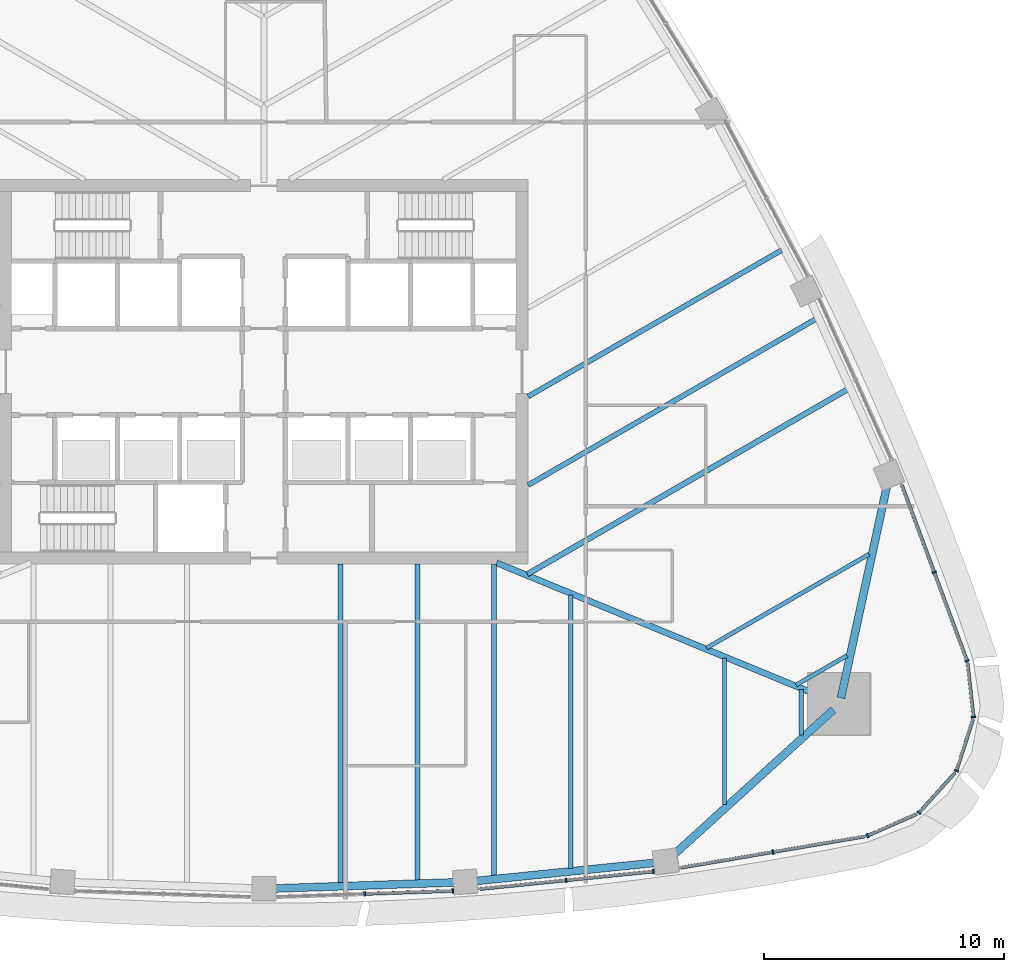
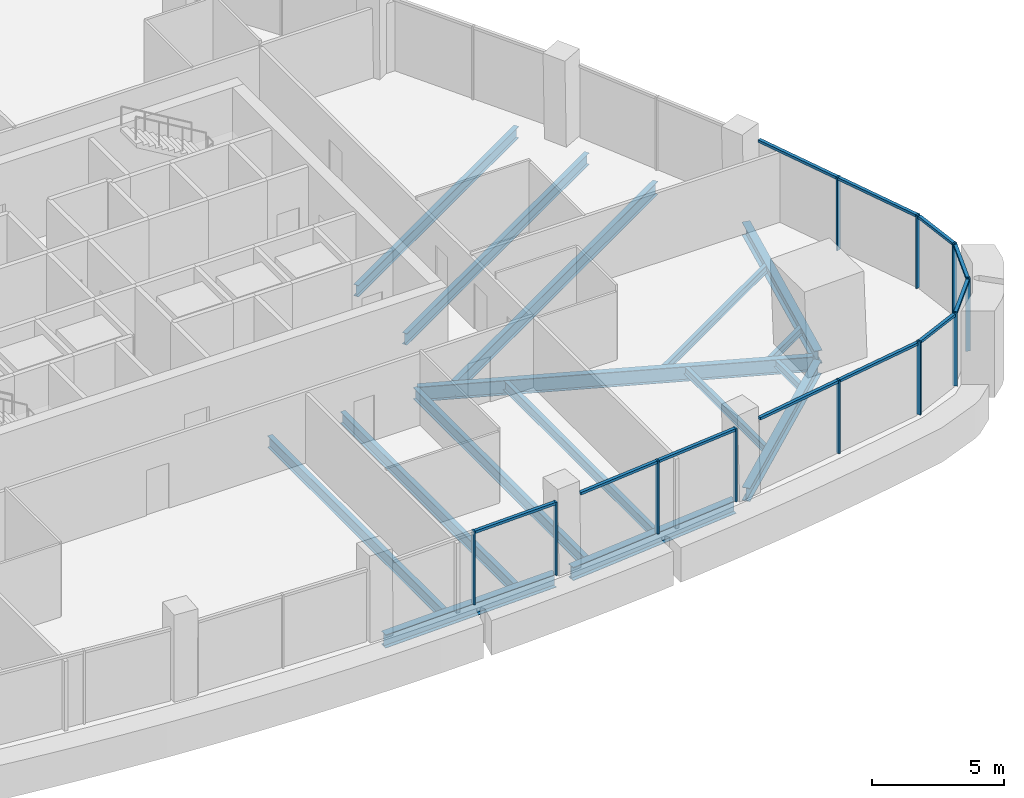
# One storey, part 4 of 16: 22 members, 16 beams, 8 elements without a shape of their own.
"""IFC4 building model written with IfcOpenShell, lengths in metres."""

import ifcopenshell
import ifcopenshell.guid

model = None  # the IFC model being written
_history = None  # IfcOwnerHistory: only IFC2X3 demands one
_inside = {}  # id of a spatial element -> (the spatial element, [elements in it])
_under = {}  # id of a project, library or spatial element -> (it, [spatial elements below it])
_declared = {}  # id of a project -> (the project, [libraries it declares])
_typed = {}  # id of a type object -> (the type object, [elements of that type])
_made_of = {}  # id of a material, layer set ... -> (it, [elements and type objects made of it])


def new_model(schema):
    """Start an empty IFC model of exactly this schema.

    Asked for "IFC4X3", IfcOpenShell would pick the latest addendum, in which some entities
    have other attributes; the version numbers below select the first issue.
    IFC2X3 requires an IfcOwnerHistory on every rooted entity: one is made here for all.
    """
    global model, _history
    if schema == "IFC4X3":
        model = ifcopenshell.file(schema_version=(4, 3, 0, 0))
    else:
        model = ifcopenshell.file(schema=schema)
    _inside.clear()
    _under.clear()
    _declared.clear()
    _typed.clear()
    _made_of.clear()
    _history = None
    if model.schema == "IFC2X3":
        org = make("IfcOrganization", Name="unknown")
        user = make(
            "IfcPersonAndOrganization",
            ThePerson=make("IfcPerson", FamilyName="unknown"),
            TheOrganization=org,
        )
        app = make(
            "IfcApplication",
            ApplicationDeveloper=org,
            Version="unknown",
            ApplicationFullName="unknown",
            ApplicationIdentifier="unknown",
        )
        _history = make(
            "IfcOwnerHistory",
            OwningUser=user,
            OwningApplication=app,
            ChangeAction="ADDED",
            CreationDate=0,
        )
    return model


def make(cls, **values):
    """One entity of the class cls with the attributes given. An attribute that is None is left unset."""
    return model.create_entity(
        cls, **{name: value for name, value in values.items() if value is not None}
    )


def rooted(cls, **values):
    """An entity with a GlobalId (a new one), such as an element, a storey or a relation."""
    return make(cls, GlobalId=ifcopenshell.guid.new(), OwnerHistory=_history, **values)


def si_unit(unit_type, name, prefix=None):
    """IfcSIUnit, for example si_unit("LENGTHUNIT", "METRE", prefix="MILLI")."""
    return make("IfcSIUnit", UnitType=unit_type, Prefix=prefix, Name=name)


def assignment(units):
    """IfcUnitAssignment: the units of a project."""
    return None if units is None else make("IfcUnitAssignment", Units=units)


def point(xyz):
    """IfcCartesianPoint."""
    return None if xyz is None else make("IfcCartesianPoint", Coordinates=xyz)


def direction(xyz):
    """IfcDirection."""
    return None if xyz is None else make("IfcDirection", DirectionRatios=xyz)


def frame(location, z_axis=None, x_axis=None):
    """IfcAxis2Placement3D, a coordinate frame: its origin and axes. An axis left out is left unset."""
    return make(
        "IfcAxis2Placement3D",
        Location=point(location),
        Axis=direction(z_axis),
        RefDirection=direction(x_axis),
    )


def frame_2d(location, x_axis=None):
    """IfcAxis2Placement2D, a coordinate frame in the plane: its origin and x axis."""
    return make(
        "IfcAxis2Placement2D", Location=point(location), RefDirection=direction(x_axis)
    )


def origin():
    """The frame at (0, 0, 0) with its axes left unset."""
    return frame((0.0, 0.0, 0.0))


def origin_2d():
    """The frame at (0, 0) in the plane with its x axis left unset."""
    return frame_2d((0.0, 0.0))


def place(relative_to, where):
    """IfcLocalPlacement: puts the frame where relative to a parent placement (None: the world)."""
    return make(
        "IfcLocalPlacement", PlacementRelTo=relative_to, RelativePlacement=where
    )


def context(
    kind, dimensions, precision=None, world=None, true_north=None, identifier=None
):
    """IfcGeometricRepresentationContext, for example the 3D "Model" context."""
    return make(
        "IfcGeometricRepresentationContext",
        ContextIdentifier=identifier,
        ContextType=kind,
        CoordinateSpaceDimension=dimensions,
        Precision=precision,
        WorldCoordinateSystem=world,
        TrueNorth=true_north,
    )


def subcontext(parent, identifier, kind, view, scale=None):
    """IfcGeometricRepresentationSubContext, for example "Body" below "Model"."""
    return make(
        "IfcGeometricRepresentationSubContext",
        ContextIdentifier=identifier,
        ContextType=kind,
        ParentContext=parent,
        TargetScale=scale,
        TargetView=view,
    )


def project(units=None, contexts=None):
    """IfcProject with its units and contexts."""
    return rooted(
        "IfcProject",
        Name="project",
        RepresentationContexts=contexts,
        UnitsInContext=assignment(units),
    )


def spatial(cls, under=None, at=None, **own):
    """A site, building, storey or space (cls), placed at a placement, below another one or the project."""
    s = rooted(cls, ObjectPlacement=at, **own)
    if under is not None:
        _under.setdefault(under.id(), (under, []))[1].append(s)
    return s


def profile(cls, at=None, kind="AREA", **sizes):
    """A parametric profile (cls). Its sizes go by their IFC names, for example OverallWidth=200.0."""
    return make(cls, ProfileType=kind, Position=at, **sizes)


def rectangle(**sizes):
    """IfcRectangleProfileDef."""
    return profile("IfcRectangleProfileDef", **sizes)


def i_section(**sizes):
    """IfcIShapeProfileDef."""
    return profile("IfcIShapeProfileDef", **sizes)


def extrude(swept, where, along, depth):
    """IfcExtrudedAreaSolid: the profile swept, set in the frame where, extruded along a direction by depth."""
    return make(
        "IfcExtrudedAreaSolid",
        SweptArea=swept,
        Position=where,
        ExtrudedDirection=direction(along),
        Depth=depth,
    )


def shape(context_of_items, identifier, shape_type, items):
    """IfcShapeRepresentation: the items that make up one representation, for example the "Body"."""
    return make(
        "IfcShapeRepresentation",
        ContextOfItems=context_of_items,
        RepresentationIdentifier=identifier,
        RepresentationType=shape_type,
        Items=items,
    )


def material(Name=None, Category=None):
    """IfcMaterial."""
    return make("IfcMaterial", Name=Name, Category=Category)


def layer(
    of_material, thickness, ventilated=None, Name=None, Category=None, Priority=None
):
    """IfcMaterialLayer: one layer of a wall or slab, of a material (None: an air gap)."""
    return make(
        "IfcMaterialLayer",
        Material=of_material,
        LayerThickness=thickness,
        IsVentilated=ventilated,
        Name=Name,
        Category=Category,
        Priority=Priority,
    )


def layer_set(layers, Name=None):
    """IfcMaterialLayerSet."""
    return make("IfcMaterialLayerSet", MaterialLayers=layers, LayerSetName=Name)


def material_profile(
    of_material, cross_section, Name=None, Category=None, Priority=None
):
    """IfcMaterialProfile: a cross section and its material."""
    return make(
        "IfcMaterialProfile",
        Name=Name,
        Material=of_material,
        Profile=cross_section,
        Priority=Priority,
        Category=Category,
    )


def profile_set(profiles, Name=None, composite=None):
    """IfcMaterialProfileSet."""
    return make(
        "IfcMaterialProfileSet",
        Name=Name,
        MaterialProfiles=profiles,
        CompositeProfile=composite,
    )


def made_of(thing, what):
    """Note that an element or type object is made of a material, layer set ...; save() writes the relation."""
    if what is not None:
        _made_of.setdefault(what.id(), (what, []))[1].append(thing)
    return thing


def type_object(cls, material=None, **own):
    """A type object (cls), such as IfcWallType, which elements share."""
    return made_of(rooted(cls, **own), material)


def element(
    cls,
    number,
    at=None,
    inside=None,
    cuts=None,
    type_object=None,
    material=None,
    context=None,
    identifier="Body",
    shape_type=None,
    held_by="IfcProductDefinitionShape",
    body=None,
    shapes=None,
    **own,
):
    """One element of the class cls, such as IfcWall. Its Tag is "e" and its number.

    at: its placement. inside: the storey or other place that contains it. cuts: it is an
    opening in that element (IfcRelVoidsElement). A single representation is given by context,
    identifier, shape_type and body (its items); several are given by shapes. held_by: the class
    of the entity that holds the representations. save() writes the other relations.
    """
    e = rooted(cls, Tag="e%d" % number, ObjectPlacement=at, **own)
    if body is not None:
        shapes = [shape(context, identifier, shape_type, body)]
    if shapes is not None:
        e.Representation = make(held_by, Representations=shapes)
    if inside is not None:
        _inside.setdefault(inside.id(), (inside, []))[1].append(e)
    if cuts is not None:
        rooted(
            "IfcRelVoidsElement", RelatingBuildingElement=cuts, RelatedOpeningElement=e
        )
    if type_object is not None:
        _typed.setdefault(type_object.id(), (type_object, []))[1].append(e)
    return made_of(e, material)


def aggregate(whole, parts):
    """IfcRelAggregates: a whole, such as a stair, and the parts it consists of."""
    return rooted("IfcRelAggregates", RelatingObject=whole, RelatedObjects=parts)


def save(model, path):
    """Write the relations noted so far, then the file.

    IfcRelAggregates (storeys below a building ...), IfcRelContainedInSpatialStructure (elements
    in a storey), IfcRelDefinesByType, IfcRelAssociatesMaterial and IfcRelDeclares: one each for
    every whole, place, type object, material and project.
    """
    for whole, parts in _under.values():
        aggregate(whole, parts)
    for where, things in _inside.values():
        rooted(
            "IfcRelContainedInSpatialStructure",
            RelatedElements=things,
            RelatingStructure=where,
        )
    for kind, things in _typed.values():
        rooted("IfcRelDefinesByType", RelatedObjects=things, RelatingType=kind)
    for what, things in _made_of.values():
        rooted("IfcRelAssociatesMaterial", RelatedObjects=things, RelatingMaterial=what)
    for by, libraries in _declared.values():
        rooted("IfcRelDeclares", RelatingContext=by, RelatedDefinitions=libraries)
    model.write(path)


model = new_model("IFC4")

# Units and contexts
model_context = context("Model", 3, precision=1e-05, world=origin(), true_north=direction((0.0, 1.0)))
body_context = subcontext(model_context, "Body", "Model", "MODEL_VIEW")
ifc_project = project(units=[si_unit("LENGTHUNIT", "METRE"), si_unit("AREAUNIT", "SQUARE_METRE"), si_unit("VOLUMEUNIT", "CUBIC_METRE"), si_unit("PLANEANGLEUNIT", "RADIAN"), si_unit("MASSUNIT", "GRAM", prefix="KILO")], contexts=[model_context])

# Site, building, storey
site_placement = place(None, origin())
site = spatial("IfcSite", under=ifc_project, at=site_placement, CompositionType="ELEMENT")
building_placement = place(site_placement, origin())
building = spatial("IfcBuilding", under=site, at=building_placement, Name="Sierra Prisma Convention Tower", CompositionType="ELEMENT")
storey_placement = place(building_placement, frame((0.0, 0.0, 165.800048828125)))
storey = spatial("IfcBuildingStorey", under=building, at=storey_placement, Name="L36", CompositionType="ELEMENT", Elevation=165.800048828125)

# Curtain wall, members
ifc_material_1 = material(Name="Aluminium and glass curtain wall", Category="aluminium")
ifc_layer = layer(ifc_material_1, 0.179931640625)
ifc_layer_set = layer_set([ifc_layer], Name="CW-1 Plain shaft curtain wall")
curtain_wall_type = type_object("IfcCurtainWallType", Name="CW-1 Plain shaft curtain wall", PredefinedType="NOTDEFINED", material=ifc_layer_set)
curtain_wall_1_placement = place(storey_placement, origin())
curtain_wall_1 = element("IfcCurtainWall", 1, at=curtain_wall_1_placement, inside=storey, type_object=curtain_wall_type, Name="CW-1 S4 L36", PredefinedType="NOTDEFINED")
ifc_material_2 = material(Name="Aluminium 6063-T6 bronze anodised", Category="aluminium")
ifc_material_profile_1 = material_profile(ifc_material_2, rectangle(XDim=0.179931640625, YDim=0.070068359375, at=origin_2d()), Name="ALU MULLION 70x180")
ifc_profile_set_1 = profile_set([ifc_material_profile_1], Name="Aluminium 6063-T6 bronze anodised")
member_type_1 = type_object("IfcMemberType", Name="CW mullion bronze", PredefinedType="MULLION", material=ifc_profile_set_1)
member_1_placement = place(storey_placement, frame((4.2021484375, -21.73681640625, 0.0), z_axis=(0.0, 0.0, 1.0), x_axis=(-0.033688139017, 0.999432393556, 0.0)))
member_1 = element("IfcMember", 2, at=member_1_placement, type_object=member_type_1, Name="CW-1 mullion S4.2", PredefinedType="MULLION", context=body_context, shape_type="SweptSolid", body=[
    extrude(rectangle(XDim=0.179931640625, YDim=0.070068359375, at=origin_2d()), origin(), (0.0, 0.0, 1.0), 3.39990234375),
])
member_2_placement = place(storey_placement, frame((7.869384765625, -21.61328125, 0.0), z_axis=(0.0, 0.0, 1.0), x_axis=(-0.033688139017, 0.999432393556, 0.0)))
member_2 = element("IfcMember", 3, at=member_2_placement, type_object=member_type_1, Name="CW-1 mullion S4.3", PredefinedType="MULLION", context=body_context, shape_type="SweptSolid", body=[
    extrude(rectangle(XDim=0.179931640625, YDim=0.070068359375, at=origin_2d()), origin(), (0.0, 0.0, 1.0), 3.39990234375),
])

curtain_wall_2_placement = place(storey_placement, origin())
curtain_wall_2 = element("IfcCurtainWall", 4, at=curtain_wall_2_placement, inside=storey, type_object=curtain_wall_type, Name="CW-1 S5 L36", PredefinedType="NOTDEFINED")
member_3_placement = place(storey_placement, frame((12.583740234375, -21.172119140625, 0.0), z_axis=(0.0, 0.0, 1.0), x_axis=(-0.100911487644, 0.994895407398, 0.0)))
member_3 = element("IfcMember", 5, at=member_3_placement, type_object=member_type_1, Name="CW-1 mullion S5.2", PredefinedType="MULLION", context=body_context, shape_type="SweptSolid", body=[
    extrude(rectangle(XDim=0.179931640625, YDim=0.070068359375, at=origin_2d()), origin(), (0.0, 0.0, 1.0), 3.39990234375),
])
member_4_placement = place(storey_placement, frame((16.218505859375, -20.803466796875, 0.0), z_axis=(0.0, 0.0, 1.0), x_axis=(-0.100911487644, 0.994895407398, 0.0)))
member_4 = element("IfcMember", 6, at=member_4_placement, type_object=member_type_1, Name="CW-1 mullion S5.3", PredefinedType="MULLION", context=body_context, shape_type="SweptSolid", body=[
    extrude(rectangle(XDim=0.179931640625, YDim=0.070068359375, at=origin_2d()), origin(), (0.0, 0.0, 1.0), 3.39990234375),
])

# Curtain wall, member
curtain_wall_3_placement = place(storey_placement, origin())
curtain_wall_3 = element("IfcCurtainWall", 7, at=curtain_wall_3_placement, inside=storey, type_object=curtain_wall_type, Name="CW-1 S6 L36", PredefinedType="NOTDEFINED")
member_5_placement = place(storey_placement, frame((21.19287109375, -19.9970703125, 0.0), z_axis=(0.0, 0.0, 1.0), x_axis=(-0.167676742214, 0.985842031017, 0.0)))
member_5 = element("IfcMember", 8, at=member_5_placement, type_object=member_type_1, Name="CW-1 mullion S6.2", PredefinedType="MULLION", context=body_context, shape_type="SweptSolid", body=[
    extrude(rectangle(XDim=0.179931640625, YDim=0.070068359375, at=origin_2d()), origin(), (0.0, 0.0, 1.0), 3.39990234375),
])

curtain_wall_4_placement = place(storey_placement, origin())
curtain_wall_4 = element("IfcCurtainWall", 9, at=curtain_wall_4_placement, inside=storey, type_object=curtain_wall_type, Name="CW-1 SE1 L36", PredefinedType="NOTDEFINED")
member_6_placement = place(storey_placement, frame((25.129638671875, -19.31884765625, 0.0), z_axis=(0.0, 0.0, 1.0), x_axis=(-0.401747850089, 0.915750328938, 0.0)))
member_6 = element("IfcMember", 10, at=member_6_placement, type_object=member_type_1, Name="CW-1 mullion SE1.1", PredefinedType="MULLION", context=body_context, shape_type="SweptSolid", body=[
    extrude(rectangle(XDim=0.179931640625, YDim=0.070068359375, at=origin_2d()), origin(), (0.0, 0.0, 1.0), 3.39990234375),
])

curtain_wall_5_placement = place(storey_placement, origin())
curtain_wall_5 = element("IfcCurtainWall", 11, at=curtain_wall_5_placement, inside=storey, type_object=curtain_wall_type, Name="CW-1 SE2 L36", PredefinedType="NOTDEFINED")
member_7_placement = place(storey_placement, frame((27.2744140625, -18.3623046875, 0.0), z_axis=(0.0, 0.0, 1.0), x_axis=(-0.741927047501, 0.670480615817, 0.0)))
member_7 = element("IfcMember", 12, at=member_7_placement, type_object=member_type_1, Name="CW-1 mullion SE2.1", PredefinedType="MULLION", context=body_context, shape_type="SweptSolid", body=[
    extrude(rectangle(XDim=0.179931640625, YDim=0.070068359375, at=origin_2d()), origin(), (0.0, 0.0, 1.0), 3.39990234375),
])

curtain_wall_6_placement = place(storey_placement, origin())
curtain_wall_6 = element("IfcCurtainWall", 13, at=curtain_wall_6_placement, inside=storey, type_object=curtain_wall_type, Name="CW-1 SE3 L36", PredefinedType="NOTDEFINED")
member_8_placement = place(storey_placement, frame((28.83837890625, -16.6103515625, 0.0), z_axis=(0.0, 0.0, 1.0), x_axis=(-0.951616769793, 0.307287362982, 0.0)))
member_8 = element("IfcMember", 14, at=member_8_placement, type_object=member_type_1, Name="CW-1 mullion SE3.1", PredefinedType="MULLION", context=body_context, shape_type="SweptSolid", body=[
    extrude(rectangle(XDim=0.179931640625, YDim=0.070068359375, at=origin_2d()), origin(), (0.0, 0.0, 1.0), 3.39990234375),
])

curtain_wall_7_placement = place(storey_placement, origin())
curtain_wall_7 = element("IfcCurtainWall", 15, at=curtain_wall_7_placement, inside=storey, type_object=curtain_wall_type, Name="CW-1 SE4 L36", PredefinedType="NOTDEFINED")
member_9_placement = place(storey_placement, frame((29.54638671875, -14.37109375, 0.0), z_axis=(0.0, 0.0, 1.0), x_axis=(-0.993936973428, -0.109951320376, 0.0)))
member_9 = element("IfcMember", 16, at=member_9_placement, type_object=member_type_1, Name="CW-1 mullion SE4.1", PredefinedType="MULLION", context=body_context, shape_type="SweptSolid", body=[
    extrude(rectangle(XDim=0.179931640625, YDim=0.070068359375, at=origin_2d()), origin(), (0.0, 0.0, 1.0), 3.39990234375),
])

# Curtain wall, members
curtain_wall_8_placement = place(storey_placement, origin())
curtain_wall_8 = element("IfcCurtainWall", 17, at=curtain_wall_8_placement, inside=storey, type_object=curtain_wall_type, Name="CW-1 NE1 L36", PredefinedType="NOTDEFINED")
member_10_placement = place(storey_placement, frame((29.279296875, -12.03564453125, 0.0), z_axis=(0.0, 0.0, 1.0), x_axis=(-0.937602614086, -0.347708697128, 0.0)))
member_10 = element("IfcMember", 18, at=member_10_placement, type_object=member_type_1, Name="CW-1 mullion NE1.1", PredefinedType="MULLION", context=body_context, shape_type="SweptSolid", body=[
    extrude(rectangle(XDim=0.179931640625, YDim=0.070068359375, at=origin_2d()), origin(), (0.0, 0.0, 1.0), 3.39990234375),
])
member_11_placement = place(storey_placement, frame((27.914306640625, -8.35498046875, 0.0), z_axis=(0.0, 0.0, 1.0), x_axis=(-0.937602614086, -0.347708697128, 0.0)))
member_11 = element("IfcMember", 19, at=member_11_placement, type_object=member_type_1, Name="CW-1 mullion NE1.2", PredefinedType="MULLION", context=body_context, shape_type="SweptSolid", body=[
    extrude(rectangle(XDim=0.179931640625, YDim=0.070068359375, at=origin_2d()), origin(), (0.0, 0.0, 1.0), 3.39990234375),
])

# Member
ifc_material_3 = material(Name="Aluminium 6063-T6 bronze anodised", Category="aluminium")
ifc_material_profile_2 = material_profile(ifc_material_3, rectangle(XDim=0.139892578125, YDim=0.1201171875, at=origin_2d()), Name="ALU TRANSOM 120x140")
ifc_profile_set_2 = profile_set([ifc_material_profile_2], Name="Aluminium 6063-T6 bronze anodised")
member_type_2 = type_object("IfcMemberType", Name="CW transom bronze", PredefinedType="USERDEFINED", material=ifc_profile_set_2)
member_12_placement = place(storey_placement, frame((4.237060546875, -21.73583984375, 3.33984375), z_axis=(0.999431654881, 0.033710046317, 0.0), x_axis=(-0.033710046317, 0.999431654881, 0.0)))
member_12 = element("IfcMember", 20, at=member_12_placement, type_object=member_type_2, Name="CW-1 transom S4.2", ObjectType="TRANSOM", PredefinedType="USERDEFINED", context=body_context, shape_type="SweptSolid", body=[
    extrude(rectangle(XDim=0.139892578125, YDim=0.1201171875, at=origin_2d()), origin(), (0.0, 0.0, 1.0), 3.599365234375),
])

aggregate(curtain_wall_1, [member_1, member_2, member_12])

member_13_placement = place(storey_placement, frame((8.98388671875, -21.537353515625, 3.33984375), z_axis=(0.994895884852, 0.100906780268, 0.0), x_axis=(-0.100906780268, 0.994895884852, 0.0)))
member_13 = element("IfcMember", 21, at=member_13_placement, type_object=member_type_2, Name="CW-1 transom S5.1", ObjectType="TRANSOM", PredefinedType="USERDEFINED", context=body_context, shape_type="SweptSolid", body=[
    extrude(rectangle(XDim=0.139892578125, YDim=0.1201171875, at=origin_2d()), origin(), (0.0, 0.0, 1.0), 3.583251953125),
])

member_14_placement = place(storey_placement, frame((12.61865234375, -21.168701171875, 3.33984375), z_axis=(0.994896578537, 0.100899940616, 0.0), x_axis=(-0.100899940616, 0.994896578537, 0.0)))
member_14 = element("IfcMember", 22, at=member_14_placement, type_object=member_type_2, Name="CW-1 transom S5.2", ObjectType="TRANSOM", PredefinedType="USERDEFINED", context=body_context, shape_type="SweptSolid", body=[
    extrude(rectangle(XDim=0.139892578125, YDim=0.1201171875, at=origin_2d()), origin(), (0.0, 0.0, 1.0), 3.58349609375),
])

aggregate(curtain_wall_2, [member_3, member_4, member_13, member_14])

member_15_placement = place(storey_placement, frame((17.357177734375, -20.6494140625, 3.33984375), z_axis=(0.98584255659, 0.16767365212, 0.0), x_axis=(-0.16767365212, 0.98584255659, 0.0)))
member_15 = element("IfcMember", 23, at=member_15_placement, type_object=member_type_2, Name="CW-1 transom S6.1", ObjectType="TRANSOM", PredefinedType="USERDEFINED", context=body_context, shape_type="SweptSolid", body=[
    extrude(rectangle(XDim=0.139892578125, YDim=0.1201171875, at=origin_2d()), origin(), (0.0, 0.0, 1.0), 3.855712890625),
])

member_16_placement = place(storey_placement, frame((21.227294921875, -19.9912109375, 3.33984375), z_axis=(0.985844336655, 0.167663185836, 0.0), x_axis=(-0.167663185836, 0.985844336655, 0.0)))
member_16 = element("IfcMember", 24, at=member_16_placement, type_object=member_type_2, Name="CW-1 transom S6.2", ObjectType="TRANSOM", PredefinedType="USERDEFINED", context=body_context, shape_type="SweptSolid", body=[
    extrude(rectangle(XDim=0.139892578125, YDim=0.1201171875, at=origin_2d()), origin(), (0.0, 0.0, 1.0), 3.85595703125),
])

aggregate(curtain_wall_3, [member_5, member_15, member_16])

member_17_placement = place(storey_placement, frame((25.16162109375, -19.304931640625, 3.33984375), z_axis=(0.915713390972, 0.401832036545, 0.0), x_axis=(-0.401832036545, 0.915713390972, 0.0)))
member_17 = element("IfcMember", 25, at=member_17_placement, type_object=member_type_2, Name="CW-1 transom SE1.1", ObjectType="TRANSOM", PredefinedType="USERDEFINED", context=body_context, shape_type="SweptSolid", body=[
    extrude(rectangle(XDim=0.139892578125, YDim=0.1201171875, at=origin_2d()), origin(), (0.0, 0.0, 1.0), 2.211669921875),
])

aggregate(curtain_wall_4, [member_6, member_17])

member_18_placement = place(storey_placement, frame((27.2978515625, -18.336181640625, 3.33984375), z_axis=(0.670488251743, 0.741920146832, 0.0), x_axis=(-0.741920146832, 0.670488251743, 0.0)))
member_18 = element("IfcMember", 26, at=member_18_placement, type_object=member_type_2, Name="CW-1 transom SE2.1", ObjectType="TRANSOM", PredefinedType="USERDEFINED", context=body_context, shape_type="SweptSolid", body=[
    extrude(rectangle(XDim=0.139892578125, YDim=0.1201171875, at=origin_2d()), origin(), (0.0, 0.0, 1.0), 2.21142578125),
])

aggregate(curtain_wall_5, [member_7, member_18])

member_19_placement = place(storey_placement, frame((28.84912109375, -16.576904296875, 3.33984375), z_axis=(0.307238238166, 0.951632631328, 0.0), x_axis=(-0.951632631328, 0.307238238166, 0.0)))
member_19 = element("IfcMember", 27, at=member_19_placement, type_object=member_type_2, Name="CW-1 transom SE3.1", ObjectType="TRANSOM", PredefinedType="USERDEFINED", context=body_context, shape_type="SweptSolid", body=[
    extrude(rectangle(XDim=0.139892578125, YDim=0.1201171875, at=origin_2d()), origin(), (0.0, 0.0, 1.0), 2.21142578125),
])

aggregate(curtain_wall_6, [member_8, member_19])

member_20_placement = place(storey_placement, frame((29.54248046875, -14.336181640625, 3.33984375), z_axis=(-0.109958945394, 0.993936129904, 0.0), x_axis=(-0.993936129904, -0.109958945394, 0.0)))
member_20 = element("IfcMember", 28, at=member_20_placement, type_object=member_type_2, Name="CW-1 transom SE4.1", ObjectType="TRANSOM", PredefinedType="USERDEFINED", context=body_context, shape_type="SweptSolid", body=[
    extrude(rectangle(XDim=0.139892578125, YDim=0.1201171875, at=origin_2d()), origin(), (0.0, 0.0, 1.0), 2.21142578125),
])

aggregate(curtain_wall_7, [member_9, member_20])

member_21_placement = place(storey_placement, frame((29.267333984375, -12.0029296875, 3.33984375), z_axis=(-0.347735006125, 0.93759285701, 0.0), x_axis=(-0.93759285701, -0.347735006125, 0.0)))
member_21 = element("IfcMember", 29, at=member_21_placement, type_object=member_type_2, Name="CW-1 transom NE1.1", ObjectType="TRANSOM", PredefinedType="USERDEFINED", context=body_context, shape_type="SweptSolid", body=[
    extrude(rectangle(XDim=0.139892578125, YDim=0.1201171875, at=origin_2d()), origin(), (0.0, 0.0, 1.0), 3.85595703125),
])

member_22_placement = place(storey_placement, frame((27.902099609375, -8.322265625, 3.33984375), z_axis=(-0.347679343869, 0.937613499181, 0.0), x_axis=(-0.937613499181, -0.347679343869, 0.0)))
member_22 = element("IfcMember", 30, at=member_22_placement, type_object=member_type_2, Name="CW-1 transom NE1.2", ObjectType="TRANSOM", PredefinedType="USERDEFINED", context=body_context, shape_type="SweptSolid", body=[
    extrude(rectangle(XDim=0.139892578125, YDim=0.1201171875, at=origin_2d()), origin(), (0.0, 0.0, 1.0), 3.855712890625),
])

aggregate(curtain_wall_8, [member_10, member_11, member_21, member_22])

# Beams
ifc_material_4 = material(Name="Steel ASTM A992 Gr 50", Category="steel")
ifc_material_profile_3 = material_profile(ifc_material_4, i_section(OverallWidth=0.172119140625, OverallDepth=0.35791015625, WebThickness=0.0078125, FlangeThickness=0.01318359375, at=origin_2d()), Name="W360x57")
ifc_profile_set_3 = profile_set([ifc_material_profile_3], Name="Steel ASTM A992 Gr 50")
beam_type_1 = type_object("IfcBeamType", Name="Floor joist W360x57", PredefinedType="JOIST", material=ifc_profile_set_3)
beam_1_placement = place(storey_placement, frame((19.17724609375, -18.0234375, -0.3291015625), z_axis=(0.0, 1.0, 0.0), x_axis=(-1.0, 0.0, 0.0)))
element("IfcBeam", 31, at=beam_1_placement, inside=storey, type_object=beam_type_1, Name="Floor joist L36 S14", PredefinedType="JOIST", context=body_context, shape_type="SweptSolid", body=[
    extrude(i_section(OverallWidth=0.172119140625, OverallDepth=0.35791015625, WebThickness=0.0078125, FlangeThickness=0.01318359375, at=origin_2d()), origin(), (0.0, 0.0, 1.0), 6.104248046875),
])
beam_2_placement = place(storey_placement, frame((22.37353515625, -15.12158203125, -0.3291015625), z_axis=(0.0, 1.0, 0.0), x_axis=(-1.0, 0.0, 0.0)))
element("IfcBeam", 32, at=beam_2_placement, inside=storey, type_object=beam_type_1, Name="Floor joist L36 S15", PredefinedType="JOIST", context=body_context, shape_type="SweptSolid", body=[
    extrude(i_section(OverallWidth=0.172119140625, OverallDepth=0.35791015625, WebThickness=0.0078125, FlangeThickness=0.01318359375, at=origin_2d()), origin(), (0.0, 0.0, 1.0), 1.88525390625),
])
beam_3_placement = place(storey_placement, frame((24.2822265625, -11.815185546875, -0.3291015625), z_axis=(-0.866012869334, -0.500021709677, 0.0), x_axis=(0.500021709677, -0.866012869334, 0.0)))
element("IfcBeam", 33, at=beam_3_placement, inside=storey, type_object=beam_type_1, Name="Floor joist L36 NE01", PredefinedType="JOIST", context=body_context, shape_type="SweptSolid", body=[
    extrude(i_section(OverallWidth=0.172119140625, OverallDepth=0.35791015625, WebThickness=0.0078125, FlangeThickness=0.01318359375, at=origin_2d()), origin(), (0.0, 0.0, 1.0), 2.4482421875),
])
beam_4_placement = place(storey_placement, frame((25.197265625, -7.596435546875, -0.3291015625), z_axis=(-0.866030491634, -0.499991187483, 0.0), x_axis=(0.499991187483, -0.866030491634, 0.0)))
element("IfcBeam", 34, at=beam_4_placement, inside=storey, type_object=beam_type_1, Name="Floor joist L36 NE02", PredefinedType="JOIST", context=body_context, shape_type="SweptSolid", body=[
    extrude(i_section(OverallWidth=0.172119140625, OverallDepth=0.35791015625, WebThickness=0.0078125, FlangeThickness=0.01318359375, at=origin_2d()), origin(), (0.0, 0.0, 1.0), 7.811767578125),
])
ifc_material_5 = material(Name="Steel ASTM A992 Gr 50", Category="steel")
ifc_material_profile_4 = material_profile(ifc_material_5, i_section(OverallWidth=0.18994140625, OverallDepth=0.45703125, WebThickness=0.009033203125, FlangeThickness=0.014404296875, at=origin_2d()), Name="W460x74")
ifc_profile_set_4 = profile_set([ifc_material_profile_4], Name="Steel ASTM A992 Gr 50")
beam_type_2 = type_object("IfcBeamType", Name="Floor joist W460x74", PredefinedType="JOIST", material=ifc_profile_set_4)
beam_5_placement = place(storey_placement, frame((12.784912109375, -20.686767578125, -0.378662109375), z_axis=(0.0, 1.0, 0.0), x_axis=(-1.0, 0.0, 0.0)))
element("IfcBeam", 35, at=beam_5_placement, inside=storey, type_object=beam_type_2, Name="Floor joist L36 S12", PredefinedType="JOIST", context=body_context, shape_type="SweptSolid", body=[
    extrude(i_section(OverallWidth=0.18994140625, OverallDepth=0.45703125, WebThickness=0.009033203125, FlangeThickness=0.014404296875, at=origin_2d()), origin(), (0.0, 0.0, 1.0), 11.40185546875),
])
ifc_material_6 = material(Name="Steel ASTM A992 Gr 50", Category="steel")
ifc_material_profile_5 = material_profile(ifc_material_6, i_section(OverallWidth=0.208984375, OverallDepth=0.532958984375, WebThickness=0.01025390625, FlangeThickness=0.015625, at=origin_2d()), Name="W530x92")
ifc_profile_set_5 = profile_set([ifc_material_profile_5], Name="Steel ASTM A992 Gr 50")
beam_type_3 = type_object("IfcBeamType", Name="Floor joist W530x92", PredefinedType="JOIST", material=ifc_profile_set_5)
beam_6_placement = place(storey_placement, frame((3.1962890625, -21.308349609375, -0.41650390625), z_axis=(0.0, 1.0, 0.0), x_axis=(-1.0, 0.0, 0.0)))
element("IfcBeam", 36, at=beam_6_placement, inside=storey, type_object=beam_type_3, Name="Floor joist L36 S09", PredefinedType="JOIST", context=body_context, shape_type="SweptSolid", body=[
    extrude(i_section(OverallWidth=0.208984375, OverallDepth=0.532958984375, WebThickness=0.01025390625, FlangeThickness=0.015625, at=origin_2d()), origin(), (0.0, 0.0, 1.0), 13.308349609375),
])
beam_7_placement = place(storey_placement, frame((6.392333984375, -21.200439453125, -0.41650390625), z_axis=(0.0, 1.0, 0.0), x_axis=(-1.0, 0.0, 0.0)))
element("IfcBeam", 37, at=beam_7_placement, inside=storey, type_object=beam_type_3, Name="Floor joist L36 S10", PredefinedType="JOIST", context=body_context, shape_type="SweptSolid", body=[
    extrude(i_section(OverallWidth=0.208984375, OverallDepth=0.532958984375, WebThickness=0.01025390625, FlangeThickness=0.015625, at=origin_2d()), origin(), (0.0, 0.0, 1.0), 13.200439453125),
])
beam_8_placement = place(storey_placement, frame((9.588623046875, -21.010986328125, -0.41650390625), z_axis=(0.0, 1.0, 0.0), x_axis=(-1.0, 0.0, 0.0)))
element("IfcBeam", 38, at=beam_8_placement, inside=storey, type_object=beam_type_3, Name="Floor joist L36 S11", PredefinedType="JOIST", context=body_context, shape_type="SweptSolid", body=[
    extrude(i_section(OverallWidth=0.208984375, OverallDepth=0.532958984375, WebThickness=0.01025390625, FlangeThickness=0.015625, at=origin_2d()), origin(), (0.0, 0.0, 1.0), 13.010986328125),
])
beam_9_placement = place(storey_placement, frame((22.990478515625, 2.20166015625, -0.41650390625), z_axis=(-0.866020851292, -0.500007885066, 0.0), x_axis=(0.500007885066, -0.866020851292, 0.0)))
element("IfcBeam", 39, at=beam_9_placement, inside=storey, type_object=beam_type_3, Name="Floor joist L36 NE05", PredefinedType="JOIST", context=body_context, shape_type="SweptSolid", body=[
    extrude(i_section(OverallWidth=0.208984375, OverallDepth=0.532958984375, WebThickness=0.01025390625, FlangeThickness=0.015625, at=origin_2d()), origin(), (0.0, 0.0, 1.0), 13.845458984375),
])
beam_10_placement = place(storey_placement, frame((21.556396484375, 5.064208984375, -0.41650390625), z_axis=(-0.866025822586, -0.499999274614, 0.0), x_axis=(0.499999274614, -0.866025822586, 0.0)))
element("IfcBeam", 40, at=beam_10_placement, inside=storey, type_object=beam_type_3, Name="Floor joist L36 NE06", PredefinedType="JOIST", context=body_context, shape_type="SweptSolid", body=[
    extrude(i_section(OverallWidth=0.208984375, OverallDepth=0.532958984375, WebThickness=0.01025390625, FlangeThickness=0.015625, at=origin_2d()), origin(), (0.0, 0.0, 1.0), 12.189453125),
])
ifc_material_7 = material(Name="Steel ASTM A992 Gr 50", Category="steel")
ifc_material_profile_6 = material_profile(ifc_material_7, i_section(OverallWidth=0.22802734375, OverallDepth=0.60302734375, WebThickness=0.010498046875, FlangeThickness=0.014892578125, at=origin_2d()), Name="W610x101")
ifc_profile_set_6 = profile_set([ifc_material_profile_6], Name="Steel ASTM A992 Gr 50")
beam_type_4 = type_object("IfcBeamType", Name="Floor joist W610x101", PredefinedType="JOIST", material=ifc_profile_set_6)
beam_11_placement = place(storey_placement, frame((24.307861328125, -0.728515625, -0.45166015625), z_axis=(-0.866026647085, -0.499997846535, 0.0), x_axis=(0.499997846535, -0.866026647085, 0.0)))
element("IfcBeam", 41, at=beam_11_placement, inside=storey, type_object=beam_type_4, Name="Floor joist L36 NE04", PredefinedType="JOIST", context=body_context, shape_type="SweptSolid", body=[
    extrude(i_section(OverallWidth=0.22802734375, OverallDepth=0.60302734375, WebThickness=0.010498046875, FlangeThickness=0.014892578125, at=origin_2d()), origin(), (0.0, 0.0, 1.0), 15.39892578125),
])
ifc_material_8 = material(Name="Steel ASTM A992 Gr 50", Category="steel")
ifc_material_profile_7 = material_profile(ifc_material_8, i_section(OverallWidth=0.25390625, OverallDepth=0.68408203125, WebThickness=0.012451171875, FlangeThickness=0.018798828125, at=origin_2d()), Name="W690x140")
ifc_profile_set_7 = profile_set([ifc_material_profile_7], Name="Steel ASTM A992 Gr 50")
beam_type_5 = type_object("IfcBeamType", Name="Radial girder W690x140", PredefinedType="BEAM", material=ifc_profile_set_7)
beam_12_placement = place(storey_placement, frame((23.711669921875, -13.73291015625, -0.491943359375), z_axis=(-0.924573384272, 0.381004011915, 0.0), x_axis=(-0.381004011915, -0.924573384272, 0.0)))
element("IfcBeam", 42, at=beam_12_placement, inside=storey, type_object=beam_type_5, Name="Radial girder L36 SE", PredefinedType="BEAM", context=body_context, shape_type="SweptSolid", body=[
    extrude(i_section(OverallWidth=0.25390625, OverallDepth=0.68408203125, WebThickness=0.012451171875, FlangeThickness=0.018798828125, at=origin_2d()), origin(), (0.0, 0.0, 1.0), 15.166748046875),
])
ifc_material_9 = material(Name="Steel ASTM A992 Gr 50", Category="steel")
ifc_material_profile_8 = material_profile(ifc_material_9, i_section(OverallWidth=0.324951171875, OverallDepth=0.615966796875, WebThickness=0.013916015625, FlangeThickness=0.021484375, at=origin_2d()), Name="W610x174")
ifc_profile_set_8 = profile_set([ifc_material_profile_8], Name="Steel ASTM A992 Gr 50")
beam_type_6 = type_object("IfcBeamType", Name="Spandrel beam W610x174", PredefinedType="BEAM", material=ifc_profile_set_8)
beam_13_placement = place(storey_placement, frame((0.380126953125, -21.515869140625, -0.4580078125), z_axis=(0.999432204255, 0.033693754583, 0.0), x_axis=(-0.033693754583, 0.999432204255, 0.0)))
element("IfcBeam", 43, at=beam_13_placement, inside=storey, type_object=beam_type_6, Name="Spandrel L36-04", PredefinedType="BEAM", context=body_context, shape_type="SweptSolid", body=[
    extrude(i_section(OverallWidth=0.324951171875, OverallDepth=0.615966796875, WebThickness=0.013916015625, FlangeThickness=0.021484375, at=origin_2d()), origin(), (0.0, 0.0, 1.0), 7.63720703125),
])
beam_14_placement = place(storey_placement, frame((8.771484375, -21.207275390625, -0.4580078125), z_axis=(0.994894708761, 0.100918375335, 0.0), x_axis=(-0.100918375335, 0.994894708761, 0.0)))
element("IfcBeam", 44, at=beam_14_placement, inside=storey, type_object=beam_type_6, Name="Spandrel L36-05", PredefinedType="BEAM", context=body_context, shape_type="SweptSolid", body=[
    extrude(i_section(OverallWidth=0.324951171875, OverallDepth=0.615966796875, WebThickness=0.013916015625, FlangeThickness=0.021484375, at=origin_2d()), origin(), (0.0, 0.0, 1.0), 7.637451171875),
])
beam_15_placement = place(storey_placement, frame((17.108642578125, -20.071044921875, -0.4580078125), z_axis=(0.740379646724, 0.672188945697, 0.0), x_axis=(-0.672188945697, 0.740379646724, 0.0)))
element("IfcBeam", 45, at=beam_15_placement, inside=storey, type_object=beam_type_6, Name="Spandrel L36-06", PredefinedType="BEAM", context=body_context, shape_type="SweptSolid", body=[
    extrude(i_section(OverallWidth=0.324951171875, OverallDepth=0.615966796875, WebThickness=0.013916015625, FlangeThickness=0.021484375, at=origin_2d()), origin(), (0.0, 0.0, 1.0), 8.91845703125),
])
beam_16_placement = place(storey_placement, frame((24.028076171875, -13.580078125, -0.4580078125), z_axis=(0.211937664989, 0.977283186266, 0.0), x_axis=(-0.977283186266, 0.211937664989, 0.0)))
element("IfcBeam", 46, at=beam_16_placement, inside=storey, type_object=beam_type_6, Name="Spandrel L36-07", PredefinedType="BEAM", context=body_context, shape_type="SweptSolid", body=[
    extrude(i_section(OverallWidth=0.324951171875, OverallDepth=0.615966796875, WebThickness=0.013916015625, FlangeThickness=0.021484375, at=origin_2d()), origin(), (0.0, 0.0, 1.0), 9.003662109375),
])

save(model, "model.ifc")
